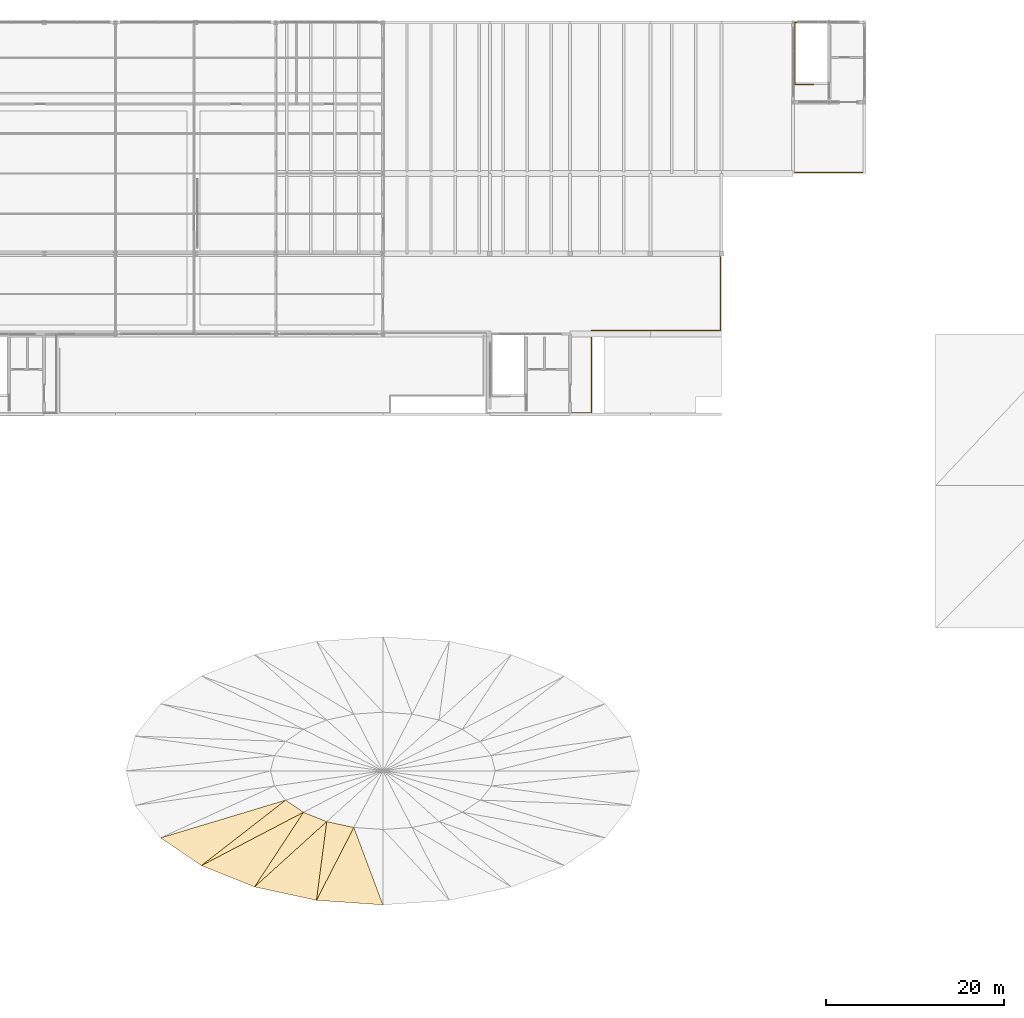
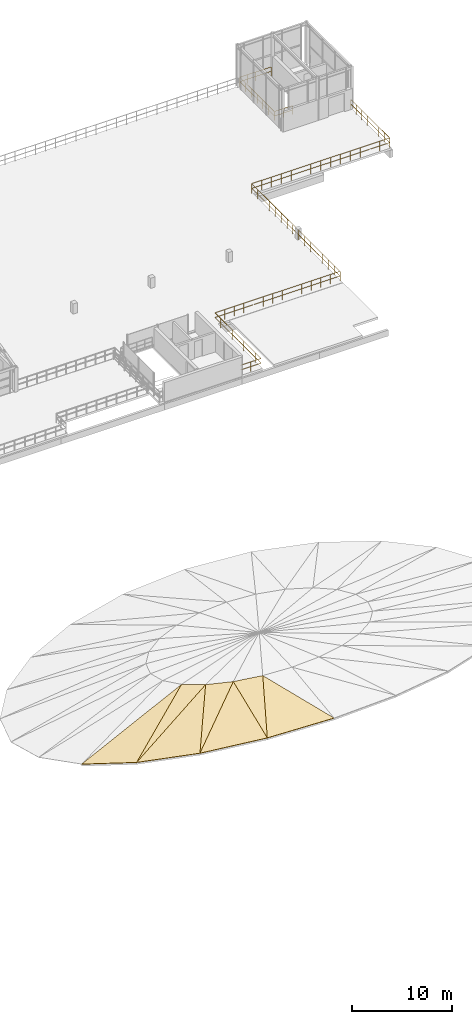
# One storey, part 48 of 50: 7 coverings, 2 railings.
"""IFC4 building model written with IfcOpenShell, lengths in metres."""

from ifc_helpers import new_model, si_unit, derived_unit, direction, frame, origin, origin_2d, place, context, subcontext, project, spatial, circle, extrude, polygons, material, layer, layer_set, type_object, element, save


model = new_model("IFC4")

# Units and contexts
model_context = context("Model", 3, precision=1e-05, world=origin(), true_north=direction((0.0, 1.0)))
body_context = subcontext(model_context, "Body", "Model", "MODEL_VIEW")
ifc_project = project(units=[si_unit("LENGTHUNIT", "METRE"), si_unit("AREAUNIT", "SQUARE_METRE"), si_unit("VOLUMEUNIT", "CUBIC_METRE"), si_unit("PLANEANGLEUNIT", "RADIAN"), si_unit("MASSUNIT", "GRAM", prefix="KILO"), si_unit("THERMODYNAMICTEMPERATUREUNIT", "KELVIN"), derived_unit("THERMALTRANSMITTANCEUNIT", [(si_unit("POWERUNIT", "WATT"), 1), (si_unit("AREAUNIT", "SQUARE_METRE"), -1), (si_unit("THERMODYNAMICTEMPERATUREUNIT", "KELVIN"), -1)])], contexts=[model_context])

# Site, building, storey
site_placement = place(None, origin())
site = spatial("IfcSite", under=ifc_project, at=site_placement, CompositionType="ELEMENT")
building_placement = place(site_placement, origin())
building = spatial("IfcBuilding", under=site, at=building_placement, Name="Haiyu Intermodal Mobility Hub", CompositionType="ELEMENT")
storey_placement = place(building_placement, frame((0.0, 0.0, 25.10009765625)))
storey = spatial("IfcBuildingStorey", under=building, at=storey_placement, Name="L06", CompositionType="ELEMENT", Elevation=25.10009765625)

# Coverings
ifc_material_1 = material(Name="PTFE tensile membrane")
ifc_layer = layer(ifc_material_1, 0.050048828125)
ifc_layer_set = layer_set([ifc_layer], Name="PTFE tensile membrane")
covering_type = type_object("IfcCoveringType", Name="COV-CV03", PredefinedType="ROOFING", material=ifc_layer_set)
covering_1_placement = place(storey_placement, origin())
element("IfcCovering", 1, at=covering_1_placement, inside=storey, type_object=covering_type, Name="PTFE Saddle Membrane 053", PredefinedType="ROOFING", context=body_context, shape_type="Tessellation", body=[
    polygons([(97.087890625, 60.7099609375, -0.4951171875), (83.05810546875, 56.47998046875, -2.797119140625), (87.635009765625, 53.364990234375, -2.30517578125), (97.087890625, 60.7099609375, -0.445068359375), (83.05810546875, 56.47998046875, -2.7470703125), (87.635009765625, 53.364990234375, -2.255126953125)], [[[3, 2, 1]], [[4, 5, 6]], [[1, 2, 5, 4]], [[2, 3, 6, 5]], [[3, 1, 4, 6]]], closed=True),
])
covering_2_placement = place(storey_placement, origin())
element("IfcCovering", 2, at=covering_2_placement, inside=storey, type_object=covering_type, Name="PTFE Saddle Membrane 054", PredefinedType="ROOFING", context=body_context, shape_type="Tessellation", body=[
    polygons([(97.087890625, 60.7099609375, -0.4951171875), (87.635009765625, 53.364990234375, -2.30517578125), (99.090087890625, 59.346923828125, -0.401123046875), (97.087890625, 60.7099609375, -0.445068359375), (87.635009765625, 53.364990234375, -2.255126953125), (99.090087890625, 59.346923828125, -0.35107421875)], [[[3, 2, 1]], [[4, 5, 6]], [[1, 2, 5, 4]], [[2, 3, 6, 5]], [[3, 1, 4, 6]]], closed=True),
])
covering_3_placement = place(storey_placement, origin())
element("IfcCovering", 3, at=covering_3_placement, inside=storey, type_object=covering_type, Name="PTFE Saddle Membrane 055", PredefinedType="ROOFING", context=body_context, shape_type="Tessellation", body=[
    polygons([(99.090087890625, 59.346923828125, -0.401123046875), (87.635009765625, 53.364990234375, -2.30517578125), (93.60009765625, 50.97509765625, -1.814208984375), (99.090087890625, 59.346923828125, -0.35107421875), (87.635009765625, 53.364990234375, -2.255126953125), (93.60009765625, 50.97509765625, -1.76416015625)], [[[3, 2, 1]], [[4, 5, 6]], [[1, 2, 5, 4]], [[2, 3, 6, 5]], [[3, 1, 4, 6]]], closed=True),
])
covering_4_placement = place(storey_placement, origin())
element("IfcCovering", 4, at=covering_4_placement, inside=storey, type_object=covering_type, Name="PTFE Saddle Membrane 056", PredefinedType="ROOFING", context=body_context, shape_type="Tessellation", body=[
    polygons([(99.090087890625, 59.346923828125, -0.401123046875), (93.60009765625, 50.97509765625, -1.814208984375), (101.699951171875, 58.302001953125, -0.30712890625), (99.090087890625, 59.346923828125, -0.35107421875), (93.60009765625, 50.97509765625, -1.76416015625), (101.699951171875, 58.302001953125, -0.257080078125)], [[[3, 2, 1]], [[4, 5, 6]], [[1, 2, 5, 4]], [[2, 3, 6, 5]], [[3, 1, 4, 6]]], closed=True),
])
covering_5_placement = place(storey_placement, origin())
element("IfcCovering", 5, at=covering_5_placement, inside=storey, type_object=covering_type, Name="PTFE Saddle Membrane 057", PredefinedType="ROOFING", context=body_context, shape_type="Tessellation", body=[
    polygons([(101.699951171875, 58.302001953125, -0.30712890625), (93.60009765625, 50.97509765625, -1.814208984375), (100.5458984375, 49.471923828125, -1.4541015625), (101.699951171875, 58.302001953125, -0.257080078125), (93.60009765625, 50.97509765625, -1.76416015625), (100.5458984375, 49.471923828125, -1.404052734375)], [[[3, 2, 1]], [[4, 5, 6]], [[1, 2, 5, 4]], [[2, 3, 6, 5]], [[3, 1, 4, 6]]], closed=True),
])
covering_6_placement = place(storey_placement, origin())
element("IfcCovering", 6, at=covering_6_placement, inside=storey, type_object=covering_type, Name="PTFE Saddle Membrane 058", PredefinedType="ROOFING", context=body_context, shape_type="Tessellation", body=[
    polygons([(101.699951171875, 58.302001953125, -0.30712890625), (100.5458984375, 49.471923828125, -1.4541015625), (104.739013671875, 57.64404296875, -0.238037109375), (101.699951171875, 58.302001953125, -0.257080078125), (100.5458984375, 49.471923828125, -1.404052734375), (104.739013671875, 57.64404296875, -0.18798828125)], [[[3, 2, 1]], [[4, 5, 6]], [[1, 2, 5, 4]], [[2, 3, 6, 5]], [[3, 1, 4, 6]]], closed=True),
])
covering_7_placement = place(storey_placement, origin())
element("IfcCovering", 7, at=covering_7_placement, inside=storey, type_object=covering_type, Name="PTFE Saddle Membrane 059", PredefinedType="ROOFING", context=body_context, shape_type="Tessellation", body=[
    polygons([(104.739013671875, 57.64404296875, -0.238037109375), (100.5458984375, 49.471923828125, -1.4541015625), (108.0, 48.9599609375, -1.322021484375), (104.739013671875, 57.64404296875, -0.18798828125), (100.5458984375, 49.471923828125, -1.404052734375), (108.0, 48.9599609375, -1.272216796875)], [[[3, 2, 1]], [[4, 5, 6]], [[1, 2, 5, 4]], [[2, 3, 6, 5]], [[3, 1, 4, 6]]], closed=True),
])

# Railings
ifc_material_2 = material(Name="Steel Q355C", Category="steel")
railing_type_1 = type_object("IfcRailingType", Name="RAL-GR01", PredefinedType="GUARDRAIL", material=ifc_material_2)
railing_1_placement = place(storey_placement, frame((129.0, 104.139892578125, 0.0)))
element("IfcRailing", 8, at=railing_1_placement, inside=storey, type_object=railing_type_1, Name="L06 Outdoor Basketball Court South-East Guard", PredefinedType="GUARDRAIL", context=body_context, shape_type="SweptSolid", body=[
    extrude(circle(Radius=0.02392578125, at=origin_2d()), frame((0.030029296875, 0.0, 1.17578125), z_axis=(1.0, 0.0, 0.0), x_axis=(0.0, 1.0, 0.0)), (0.0, 0.0, 1.0), 2.31982421875),
    extrude(circle(Radius=0.02392578125, at=origin_2d()), frame((0.037353515625, 0.0, 0.60009765625), z_axis=(1.0, 0.0, 0.0), x_axis=(0.0, 1.0, 0.0)), (0.0, 0.0, 1.0), 1.115234375),
    extrude(circle(Radius=0.02392578125, at=origin_2d()), frame((1.227294921875, 0.0, 0.60009765625), z_axis=(1.0, 0.0, 0.0), x_axis=(0.0, 1.0, 0.0)), (0.0, 0.0, 1.0), 1.115234375),
    extrude(circle(Radius=0.02392578125, at=origin_2d()), frame((2.3798828125, 0.030029296875, 1.17578125), z_axis=(0.0, 1.0, 0.0), x_axis=(-1.0, 0.0, 0.0)), (0.0, 0.0, 1.0), 9.179931640625),
    extrude(circle(Radius=0.02392578125, at=origin_2d()), frame((2.3798828125, 0.037353515625, 0.60009765625), z_axis=(0.0, 1.0, 0.0), x_axis=(-1.0, 0.0, 0.0)), (0.0, 0.0, 1.0), 1.080322265625),
    extrude(circle(Radius=0.02392578125, at=origin_2d()), frame((2.3798828125, 1.1923828125, 0.60009765625), z_axis=(0.0, 1.0, 0.0), x_axis=(-1.0, 0.0, 0.0)), (0.0, 0.0, 1.0), 1.080322265625),
    extrude(circle(Radius=0.02392578125, at=origin_2d()), frame((2.3798828125, 2.347412109375, 0.60009765625), z_axis=(0.0, 1.0, 0.0), x_axis=(-1.0, 0.0, 0.0)), (0.0, 0.0, 1.0), 1.080322265625),
    extrude(circle(Radius=0.02392578125, at=origin_2d()), frame((2.3798828125, 3.502197265625, 0.60009765625), z_axis=(0.0, 1.0, 0.0), x_axis=(-1.0, 0.0, 0.0)), (0.0, 0.0, 1.0), 1.080322265625),
    extrude(circle(Radius=0.02392578125, at=origin_2d()), frame((2.3798828125, 4.6572265625, 0.60009765625), z_axis=(0.0, 1.0, 0.0), x_axis=(-1.0, 0.0, 0.0)), (0.0, 0.0, 1.0), 1.080322265625),
    extrude(circle(Radius=0.02392578125, at=origin_2d()), frame((2.3798828125, 5.812255859375, 0.60009765625), z_axis=(0.0, 1.0, 0.0), x_axis=(-1.0, 0.0, 0.0)), (0.0, 0.0, 1.0), 1.080322265625),
    extrude(circle(Radius=0.02392578125, at=origin_2d()), frame((2.3798828125, 6.96728515625, 0.60009765625), z_axis=(0.0, 1.0, 0.0), x_axis=(-1.0, 0.0, 0.0)), (0.0, 0.0, 1.0), 1.080322265625),
    extrude(circle(Radius=0.02392578125, at=origin_2d()), frame((2.3798828125, 8.122314453125, 0.60009765625), z_axis=(0.0, 1.0, 0.0), x_axis=(-1.0, 0.0, 0.0)), (0.0, 0.0, 1.0), 1.080322265625),
    extrude(circle(Radius=0.02392578125, at=origin_2d()), frame((2.409912109375, 9.239990234375, 1.17578125), z_axis=(1.0, 0.0, 0.0), x_axis=(0.0, 1.0, 0.0)), (0.0, 0.0, 1.0), 14.43994140625),
    extrude(circle(Radius=0.02392578125, at=origin_2d()), frame((2.417236328125, 9.239990234375, 0.60009765625), z_axis=(1.0, 0.0, 0.0), x_axis=(0.0, 1.0, 0.0)), (0.0, 0.0, 1.0), 1.040771484375),
    extrude(circle(Radius=0.02392578125, at=origin_2d()), frame((3.532470703125, 9.239990234375, 0.60009765625), z_axis=(1.0, 0.0, 0.0), x_axis=(0.0, 1.0, 0.0)), (0.0, 0.0, 1.0), 1.040771484375),
    extrude(circle(Radius=0.02392578125, at=origin_2d()), frame((4.64794921875, 9.239990234375, 0.60009765625), z_axis=(1.0, 0.0, 0.0), x_axis=(0.0, 1.0, 0.0)), (0.0, 0.0, 1.0), 1.040771484375),
    extrude(circle(Radius=0.02392578125, at=origin_2d()), frame((5.763427734375, 9.239990234375, 0.60009765625), z_axis=(1.0, 0.0, 0.0), x_axis=(0.0, 1.0, 0.0)), (0.0, 0.0, 1.0), 1.040771484375),
    extrude(circle(Radius=0.02392578125, at=origin_2d()), frame((6.878662109375, 9.239990234375, 0.60009765625), z_axis=(1.0, 0.0, 0.0), x_axis=(0.0, 1.0, 0.0)), (0.0, 0.0, 1.0), 1.040771484375),
    extrude(circle(Radius=0.02392578125, at=origin_2d()), frame((7.994140625, 9.239990234375, 0.60009765625), z_axis=(1.0, 0.0, 0.0), x_axis=(0.0, 1.0, 0.0)), (0.0, 0.0, 1.0), 1.040771484375),
    extrude(circle(Radius=0.02392578125, at=origin_2d()), frame((9.109375, 9.239990234375, 0.60009765625), z_axis=(1.0, 0.0, 0.0), x_axis=(0.0, 1.0, 0.0)), (0.0, 0.0, 1.0), 1.040771484375),
    extrude(circle(Radius=0.02392578125, at=origin_2d()), frame((10.224853515625, 9.239990234375, 0.60009765625), z_axis=(1.0, 0.0, 0.0), x_axis=(0.0, 1.0, 0.0)), (0.0, 0.0, 1.0), 1.040771484375),
    extrude(circle(Radius=0.02392578125, at=origin_2d()), frame((11.34033203125, 9.239990234375, 0.60009765625), z_axis=(1.0, 0.0, 0.0), x_axis=(0.0, 1.0, 0.0)), (0.0, 0.0, 1.0), 1.040771484375),
    extrude(circle(Radius=0.02392578125, at=origin_2d()), frame((12.45556640625, 9.239990234375, 0.60009765625), z_axis=(1.0, 0.0, 0.0), x_axis=(0.0, 1.0, 0.0)), (0.0, 0.0, 1.0), 1.040771484375),
    extrude(circle(Radius=0.02392578125, at=origin_2d()), frame((13.571044921875, 9.239990234375, 0.60009765625), z_axis=(1.0, 0.0, 0.0), x_axis=(0.0, 1.0, 0.0)), (0.0, 0.0, 1.0), 1.040771484375),
    extrude(circle(Radius=0.02392578125, at=origin_2d()), frame((14.6865234375, 9.239990234375, 0.60009765625), z_axis=(1.0, 0.0, 0.0), x_axis=(0.0, 1.0, 0.0)), (0.0, 0.0, 1.0), 1.040771484375),
    extrude(circle(Radius=0.02392578125, at=origin_2d()), frame((15.8017578125, 9.239990234375, 0.60009765625), z_axis=(1.0, 0.0, 0.0), x_axis=(0.0, 1.0, 0.0)), (0.0, 0.0, 1.0), 1.040771484375),
    extrude(circle(Radius=0.02392578125, at=origin_2d()), frame((16.8798828125, 9.27001953125, 1.17578125), z_axis=(0.0, 1.0, 0.0), x_axis=(-1.0, 0.0, 0.0)), (0.0, 0.0, 1.0), 17.68017578125),
    extrude(circle(Radius=0.02392578125, at=origin_2d()), frame((16.8798828125, 9.27734375, 0.60009765625), z_axis=(0.0, 1.0, 0.0), x_axis=(-1.0, 0.0, 0.0)), (0.0, 0.0, 1.0), 1.108154296875),
    extrude(circle(Radius=0.02392578125, at=origin_2d()), frame((16.8798828125, 10.4599609375, 0.60009765625), z_axis=(0.0, 1.0, 0.0), x_axis=(-1.0, 0.0, 0.0)), (0.0, 0.0, 1.0), 1.108154296875),
    extrude(circle(Radius=0.02392578125, at=origin_2d()), frame((16.8798828125, 11.642578125, 0.60009765625), z_axis=(0.0, 1.0, 0.0), x_axis=(-1.0, 0.0, 0.0)), (0.0, 0.0, 1.0), 1.108154296875),
    extrude(circle(Radius=0.02392578125, at=origin_2d()), frame((16.8798828125, 12.825439453125, 0.60009765625), z_axis=(0.0, 1.0, 0.0), x_axis=(-1.0, 0.0, 0.0)), (0.0, 0.0, 1.0), 1.108154296875),
    extrude(circle(Radius=0.02392578125, at=origin_2d()), frame((16.8798828125, 14.008056640625, 0.60009765625), z_axis=(0.0, 1.0, 0.0), x_axis=(-1.0, 0.0, 0.0)), (0.0, 0.0, 1.0), 1.108154296875),
    extrude(circle(Radius=0.02392578125, at=origin_2d()), frame((16.8798828125, 15.190673828125, 0.60009765625), z_axis=(0.0, 1.0, 0.0), x_axis=(-1.0, 0.0, 0.0)), (0.0, 0.0, 1.0), 1.108154296875),
    extrude(circle(Radius=0.02392578125, at=origin_2d()), frame((16.8798828125, 16.373291015625, 0.60009765625), z_axis=(0.0, 1.0, 0.0), x_axis=(-1.0, 0.0, 0.0)), (0.0, 0.0, 1.0), 1.108154296875),
    extrude(circle(Radius=0.02392578125, at=origin_2d()), frame((16.8798828125, 17.55615234375, 0.60009765625), z_axis=(0.0, 1.0, 0.0), x_axis=(-1.0, 0.0, 0.0)), (0.0, 0.0, 1.0), 1.108154296875),
    extrude(circle(Radius=0.02392578125, at=origin_2d()), frame((16.8798828125, 18.73876953125, 0.60009765625), z_axis=(0.0, 1.0, 0.0), x_axis=(-1.0, 0.0, 0.0)), (0.0, 0.0, 1.0), 1.108154296875),
    extrude(circle(Radius=0.02392578125, at=origin_2d()), frame((16.8798828125, 19.92138671875, 0.60009765625), z_axis=(0.0, 1.0, 0.0), x_axis=(-1.0, 0.0, 0.0)), (0.0, 0.0, 1.0), 1.108154296875),
    extrude(circle(Radius=0.02392578125, at=origin_2d()), frame((16.8798828125, 21.10400390625, 0.60009765625), z_axis=(0.0, 1.0, 0.0), x_axis=(-1.0, 0.0, 0.0)), (0.0, 0.0, 1.0), 1.108154296875),
    extrude(circle(Radius=0.02392578125, at=origin_2d()), frame((16.8798828125, 22.286865234375, 0.60009765625), z_axis=(0.0, 1.0, 0.0), x_axis=(-1.0, 0.0, 0.0)), (0.0, 0.0, 1.0), 1.108154296875),
    extrude(circle(Radius=0.02392578125, at=origin_2d()), frame((16.8798828125, 23.469482421875, 0.60009765625), z_axis=(0.0, 1.0, 0.0), x_axis=(-1.0, 0.0, 0.0)), (0.0, 0.0, 1.0), 1.108154296875),
    extrude(circle(Radius=0.02392578125, at=origin_2d()), frame((16.8798828125, 24.652099609375, 0.60009765625), z_axis=(0.0, 1.0, 0.0), x_axis=(-1.0, 0.0, 0.0)), (0.0, 0.0, 1.0), 1.108154296875),
    extrude(circle(Radius=0.02392578125, at=origin_2d()), frame((16.8798828125, 25.834716796875, 0.60009765625), z_axis=(0.0, 1.0, 0.0), x_axis=(-1.0, 0.0, 0.0)), (0.0, 0.0, 1.0), 1.108154296875),
    extrude(circle(Radius=0.02392578125, at=origin_2d()), frame((16.909912109375, 26.980224609375, 1.17578125), z_axis=(1.0, 0.0, 0.0), x_axis=(0.0, 1.0, 0.0)), (0.0, 0.0, 1.0), 15.93994140625),
    extrude(circle(Radius=0.02392578125, at=origin_2d()), frame((16.917236328125, 26.980224609375, 0.60009765625), z_axis=(1.0, 0.0, 0.0), x_axis=(0.0, 1.0, 0.0)), (0.0, 0.0, 1.0), 1.068359375),
    extrude(circle(Radius=0.02392578125, at=origin_2d()), frame((18.06005859375, 26.980224609375, 0.60009765625), z_axis=(1.0, 0.0, 0.0), x_axis=(0.0, 1.0, 0.0)), (0.0, 0.0, 1.0), 1.068359375),
    extrude(circle(Radius=0.02392578125, at=origin_2d()), frame((19.202880859375, 26.980224609375, 0.60009765625), z_axis=(1.0, 0.0, 0.0), x_axis=(0.0, 1.0, 0.0)), (0.0, 0.0, 1.0), 1.068359375),
    extrude(circle(Radius=0.02392578125, at=origin_2d()), frame((20.345703125, 26.980224609375, 0.60009765625), z_axis=(1.0, 0.0, 0.0), x_axis=(0.0, 1.0, 0.0)), (0.0, 0.0, 1.0), 1.068359375),
    extrude(circle(Radius=0.02392578125, at=origin_2d()), frame((21.488525390625, 26.980224609375, 0.60009765625), z_axis=(1.0, 0.0, 0.0), x_axis=(0.0, 1.0, 0.0)), (0.0, 0.0, 1.0), 1.068359375),
    extrude(circle(Radius=0.02392578125, at=origin_2d()), frame((22.63134765625, 26.980224609375, 0.60009765625), z_axis=(1.0, 0.0, 0.0), x_axis=(0.0, 1.0, 0.0)), (0.0, 0.0, 1.0), 1.068359375),
    extrude(circle(Radius=0.02392578125, at=origin_2d()), frame((23.7744140625, 26.980224609375, 0.60009765625), z_axis=(1.0, 0.0, 0.0), x_axis=(0.0, 1.0, 0.0)), (0.0, 0.0, 1.0), 1.068359375),
    extrude(circle(Radius=0.02392578125, at=origin_2d()), frame((24.917236328125, 26.980224609375, 0.60009765625), z_axis=(1.0, 0.0, 0.0), x_axis=(0.0, 1.0, 0.0)), (0.0, 0.0, 1.0), 1.068359375),
    extrude(circle(Radius=0.02392578125, at=origin_2d()), frame((26.06005859375, 26.980224609375, 0.60009765625), z_axis=(1.0, 0.0, 0.0), x_axis=(0.0, 1.0, 0.0)), (0.0, 0.0, 1.0), 1.068359375),
    extrude(circle(Radius=0.02392578125, at=origin_2d()), frame((27.202880859375, 26.980224609375, 0.60009765625), z_axis=(1.0, 0.0, 0.0), x_axis=(0.0, 1.0, 0.0)), (0.0, 0.0, 1.0), 1.068359375),
    extrude(circle(Radius=0.02392578125, at=origin_2d()), frame((28.345703125, 26.980224609375, 0.60009765625), z_axis=(1.0, 0.0, 0.0), x_axis=(0.0, 1.0, 0.0)), (0.0, 0.0, 1.0), 1.068359375),
    extrude(circle(Radius=0.02392578125, at=origin_2d()), frame((29.488525390625, 26.980224609375, 0.60009765625), z_axis=(1.0, 0.0, 0.0), x_axis=(0.0, 1.0, 0.0)), (0.0, 0.0, 1.0), 1.068359375),
    extrude(circle(Radius=0.02392578125, at=origin_2d()), frame((30.63134765625, 26.980224609375, 0.60009765625), z_axis=(1.0, 0.0, 0.0), x_axis=(0.0, 1.0, 0.0)), (0.0, 0.0, 1.0), 1.068359375),
    extrude(circle(Radius=0.02392578125, at=origin_2d()), frame((31.7744140625, 26.980224609375, 0.60009765625), z_axis=(1.0, 0.0, 0.0), x_axis=(0.0, 1.0, 0.0)), (0.0, 0.0, 1.0), 1.068359375),
    extrude(circle(Radius=0.02392578125, at=origin_2d()), frame((32.8798828125, 27.01025390625, 1.17578125), z_axis=(0.0, 1.0, 0.0), x_axis=(-1.0, 0.0, 0.0)), (0.0, 0.0, 1.0), 7.769775390625),
    extrude(circle(Radius=0.02392578125, at=origin_2d()), frame((32.8798828125, 27.017578125, 0.60009765625), z_axis=(0.0, 1.0, 0.0), x_axis=(-1.0, 0.0, 0.0)), (0.0, 0.0, 1.0), 1.0439453125),
    extrude(circle(Radius=0.02392578125, at=origin_2d()), frame((32.8798828125, 28.135986328125, 0.60009765625), z_axis=(0.0, 1.0, 0.0), x_axis=(-1.0, 0.0, 0.0)), (0.0, 0.0, 1.0), 1.0439453125),
    extrude(circle(Radius=0.02392578125, at=origin_2d()), frame((32.8798828125, 29.254638671875, 0.60009765625), z_axis=(0.0, 1.0, 0.0), x_axis=(-1.0, 0.0, 0.0)), (0.0, 0.0, 1.0), 1.0439453125),
    extrude(circle(Radius=0.02392578125, at=origin_2d()), frame((32.8798828125, 30.373046875, 0.60009765625), z_axis=(0.0, 1.0, 0.0), x_axis=(-1.0, 0.0, 0.0)), (0.0, 0.0, 1.0), 1.0439453125),
    extrude(circle(Radius=0.02392578125, at=origin_2d()), frame((32.8798828125, 31.49169921875, 0.60009765625), z_axis=(0.0, 1.0, 0.0), x_axis=(-1.0, 0.0, 0.0)), (0.0, 0.0, 1.0), 1.0439453125),
    extrude(circle(Radius=0.02392578125, at=origin_2d()), frame((32.8798828125, 32.6103515625, 0.60009765625), z_axis=(0.0, 1.0, 0.0), x_axis=(-1.0, 0.0, 0.0)), (0.0, 0.0, 1.0), 1.0439453125),
    extrude(circle(Radius=0.02392578125, at=origin_2d()), frame((32.8798828125, 33.728759765625, 0.60009765625), z_axis=(0.0, 1.0, 0.0), x_axis=(-1.0, 0.0, 0.0)), (0.0, 0.0, 1.0), 1.0439453125),
    extrude(circle(Radius=0.02099609375, at=origin_2d()), origin(), (0.0, 0.0, 1.0), 1.143798828125),
    extrude(circle(Radius=0.02099609375, at=origin_2d()), frame((1.18994140625, 0.0, 0.0)), (0.0, 0.0, 1.0), 1.143798828125),
    extrude(circle(Radius=0.02099609375, at=origin_2d()), frame((2.3798828125, 0.0, 0.0)), (0.0, 0.0, 1.0), 1.143798828125),
    extrude(circle(Radius=0.02099609375, at=origin_2d()), frame((2.3798828125, 1.155029296875, 0.0)), (0.0, 0.0, 1.0), 1.143798828125),
    extrude(circle(Radius=0.02099609375, at=origin_2d()), frame((2.3798828125, 2.31005859375, 0.0)), (0.0, 0.0, 1.0), 1.143798828125),
    extrude(circle(Radius=0.02099609375, at=origin_2d()), frame((2.3798828125, 3.465087890625, 0.0)), (0.0, 0.0, 1.0), 1.143798828125),
    extrude(circle(Radius=0.02099609375, at=origin_2d()), frame((2.3798828125, 4.6201171875, 0.0)), (0.0, 0.0, 1.0), 1.143798828125),
    extrude(circle(Radius=0.02099609375, at=origin_2d()), frame((2.3798828125, 5.77490234375, 0.0)), (0.0, 0.0, 1.0), 1.143798828125),
    extrude(circle(Radius=0.02099609375, at=origin_2d()), frame((2.3798828125, 6.929931640625, 0.0)), (0.0, 0.0, 1.0), 1.143798828125),
    extrude(circle(Radius=0.02099609375, at=origin_2d()), frame((2.3798828125, 8.0849609375, 0.0)), (0.0, 0.0, 1.0), 1.143798828125),
    extrude(circle(Radius=0.02099609375, at=origin_2d()), frame((2.3798828125, 9.239990234375, 0.0)), (0.0, 0.0, 1.0), 1.143798828125),
    extrude(circle(Radius=0.02099609375, at=origin_2d()), frame((3.495361328125, 9.239990234375, 0.0)), (0.0, 0.0, 1.0), 1.143798828125),
    extrude(circle(Radius=0.02099609375, at=origin_2d()), frame((4.610595703125, 9.239990234375, 0.0)), (0.0, 0.0, 1.0), 1.143798828125),
    extrude(circle(Radius=0.02099609375, at=origin_2d()), frame((5.72607421875, 9.239990234375, 0.0)), (0.0, 0.0, 1.0), 1.143798828125),
    extrude(circle(Radius=0.02099609375, at=origin_2d()), frame((6.84130859375, 9.239990234375, 0.0)), (0.0, 0.0, 1.0), 1.143798828125),
    extrude(circle(Radius=0.02099609375, at=origin_2d()), frame((7.956787109375, 9.239990234375, 0.0)), (0.0, 0.0, 1.0), 1.143798828125),
    extrude(circle(Radius=0.02099609375, at=origin_2d()), frame((9.072265625, 9.239990234375, 0.0)), (0.0, 0.0, 1.0), 1.143798828125),
    extrude(circle(Radius=0.02099609375, at=origin_2d()), frame((10.1875, 9.239990234375, 0.0)), (0.0, 0.0, 1.0), 1.143798828125),
    extrude(circle(Radius=0.02099609375, at=origin_2d()), frame((11.302978515625, 9.239990234375, 0.0)), (0.0, 0.0, 1.0), 1.143798828125),
    extrude(circle(Radius=0.02099609375, at=origin_2d()), frame((12.41845703125, 9.239990234375, 0.0)), (0.0, 0.0, 1.0), 1.143798828125),
    extrude(circle(Radius=0.02099609375, at=origin_2d()), frame((13.53369140625, 9.239990234375, 0.0)), (0.0, 0.0, 1.0), 1.143798828125),
    extrude(circle(Radius=0.02099609375, at=origin_2d()), frame((14.649169921875, 9.239990234375, 0.0)), (0.0, 0.0, 1.0), 1.143798828125),
    extrude(circle(Radius=0.02099609375, at=origin_2d()), frame((15.764404296875, 9.239990234375, 0.0)), (0.0, 0.0, 1.0), 1.143798828125),
    extrude(circle(Radius=0.02099609375, at=origin_2d()), frame((16.8798828125, 9.239990234375, 0.0)), (0.0, 0.0, 1.0), 1.143798828125),
    extrude(circle(Radius=0.02099609375, at=origin_2d()), frame((16.8798828125, 10.422607421875, 0.0)), (0.0, 0.0, 1.0), 1.143798828125),
    extrude(circle(Radius=0.02099609375, at=origin_2d()), frame((16.8798828125, 11.60546875, 0.0)), (0.0, 0.0, 1.0), 1.143798828125),
    extrude(circle(Radius=0.02099609375, at=origin_2d()), frame((16.8798828125, 12.7880859375, 0.0)), (0.0, 0.0, 1.0), 1.143798828125),
    extrude(circle(Radius=0.02099609375, at=origin_2d()), frame((16.8798828125, 13.970703125, 0.0)), (0.0, 0.0, 1.0), 1.143798828125),
    extrude(circle(Radius=0.02099609375, at=origin_2d()), frame((16.8798828125, 15.1533203125, 0.0)), (0.0, 0.0, 1.0), 1.143798828125),
    extrude(circle(Radius=0.02099609375, at=origin_2d()), frame((16.8798828125, 16.336181640625, 0.0)), (0.0, 0.0, 1.0), 1.143798828125),
    extrude(circle(Radius=0.02099609375, at=origin_2d()), frame((16.8798828125, 17.518798828125, 0.0)), (0.0, 0.0, 1.0), 1.143798828125),
    extrude(circle(Radius=0.02099609375, at=origin_2d()), frame((16.8798828125, 18.701416015625, 0.0)), (0.0, 0.0, 1.0), 1.143798828125),
    extrude(circle(Radius=0.02099609375, at=origin_2d()), frame((16.8798828125, 19.884033203125, 0.0)), (0.0, 0.0, 1.0), 1.143798828125),
    extrude(circle(Radius=0.02099609375, at=origin_2d()), frame((16.8798828125, 21.06689453125, 0.0)), (0.0, 0.0, 1.0), 1.143798828125),
    extrude(circle(Radius=0.02099609375, at=origin_2d()), frame((16.8798828125, 22.24951171875, 0.0)), (0.0, 0.0, 1.0), 1.143798828125),
    extrude(circle(Radius=0.02099609375, at=origin_2d()), frame((16.8798828125, 23.43212890625, 0.0)), (0.0, 0.0, 1.0), 1.143798828125),
    extrude(circle(Radius=0.02099609375, at=origin_2d()), frame((16.8798828125, 24.61474609375, 0.0)), (0.0, 0.0, 1.0), 1.143798828125),
    extrude(circle(Radius=0.02099609375, at=origin_2d()), frame((16.8798828125, 25.797607421875, 0.0)), (0.0, 0.0, 1.0), 1.143798828125),
    extrude(circle(Radius=0.02099609375, at=origin_2d()), frame((16.8798828125, 26.980224609375, 0.0)), (0.0, 0.0, 1.0), 1.143798828125),
    extrude(circle(Radius=0.02099609375, at=origin_2d()), frame((18.022705078125, 26.980224609375, 0.0)), (0.0, 0.0, 1.0), 1.143798828125),
    extrude(circle(Radius=0.02099609375, at=origin_2d()), frame((19.16552734375, 26.980224609375, 0.0)), (0.0, 0.0, 1.0), 1.143798828125),
    extrude(circle(Radius=0.02099609375, at=origin_2d()), frame((20.308349609375, 26.980224609375, 0.0)), (0.0, 0.0, 1.0), 1.143798828125),
    extrude(circle(Radius=0.02099609375, at=origin_2d()), frame((21.451416015625, 26.980224609375, 0.0)), (0.0, 0.0, 1.0), 1.143798828125),
    extrude(circle(Radius=0.02099609375, at=origin_2d()), frame((22.59423828125, 26.980224609375, 0.0)), (0.0, 0.0, 1.0), 1.143798828125),
    extrude(circle(Radius=0.02099609375, at=origin_2d()), frame((23.737060546875, 26.980224609375, 0.0)), (0.0, 0.0, 1.0), 1.143798828125),
    extrude(circle(Radius=0.02099609375, at=origin_2d()), frame((24.8798828125, 26.980224609375, 0.0)), (0.0, 0.0, 1.0), 1.143798828125),
    extrude(circle(Radius=0.02099609375, at=origin_2d()), frame((26.022705078125, 26.980224609375, 0.0)), (0.0, 0.0, 1.0), 1.143798828125),
    extrude(circle(Radius=0.02099609375, at=origin_2d()), frame((27.16552734375, 26.980224609375, 0.0)), (0.0, 0.0, 1.0), 1.143798828125),
    extrude(circle(Radius=0.02099609375, at=origin_2d()), frame((28.308349609375, 26.980224609375, 0.0)), (0.0, 0.0, 1.0), 1.143798828125),
    extrude(circle(Radius=0.02099609375, at=origin_2d()), frame((29.451416015625, 26.980224609375, 0.0)), (0.0, 0.0, 1.0), 1.143798828125),
    extrude(circle(Radius=0.02099609375, at=origin_2d()), frame((30.59423828125, 26.980224609375, 0.0)), (0.0, 0.0, 1.0), 1.143798828125),
    extrude(circle(Radius=0.02099609375, at=origin_2d()), frame((31.737060546875, 26.980224609375, 0.0)), (0.0, 0.0, 1.0), 1.143798828125),
    extrude(circle(Radius=0.02099609375, at=origin_2d()), frame((32.8798828125, 26.980224609375, 0.0)), (0.0, 0.0, 1.0), 1.143798828125),
    extrude(circle(Radius=0.02099609375, at=origin_2d()), frame((32.8798828125, 28.098876953125, 0.0)), (0.0, 0.0, 1.0), 1.143798828125),
    extrude(circle(Radius=0.02099609375, at=origin_2d()), frame((32.8798828125, 29.21728515625, 0.0)), (0.0, 0.0, 1.0), 1.143798828125),
    extrude(circle(Radius=0.02099609375, at=origin_2d()), frame((32.8798828125, 30.3359375, 0.0)), (0.0, 0.0, 1.0), 1.143798828125),
    extrude(circle(Radius=0.02099609375, at=origin_2d()), frame((32.8798828125, 31.454345703125, 0.0)), (0.0, 0.0, 1.0), 1.143798828125),
    extrude(circle(Radius=0.02099609375, at=origin_2d()), frame((32.8798828125, 32.572998046875, 0.0)), (0.0, 0.0, 1.0), 1.143798828125),
    extrude(circle(Radius=0.02099609375, at=origin_2d()), frame((32.8798828125, 33.69140625, 0.0)), (0.0, 0.0, 1.0), 1.143798828125),
    extrude(circle(Radius=0.02099609375, at=origin_2d()), frame((32.8798828125, 34.81005859375, 0.0)), (0.0, 0.0, 1.0), 1.143798828125),
])
railing_type_2 = type_object("IfcRailingType", Name="RAL-GR03", PredefinedType="GUARDRAIL", material=ifc_material_2)
railing_2_placement = place(storey_placement, frame((156.31005859375, 141.010009765625, 0.0)))
element("IfcRailing", 9, at=railing_2_placement, inside=storey, type_object=railing_type_2, Name="Stair Shaft Floor Guard STR-C4-L05", PredefinedType="GUARDRAIL", context=body_context, shape_type="SweptSolid", body=[
    extrude(circle(Radius=0.02392578125, at=origin_2d()), frame((-0.030029296875, 0.0, 1.09619140625), z_axis=(-1.0, 0.0, 0.0), x_axis=(0.0, -1.0, 0.0)), (0.0, 0.0, 1.0), 2.030029296875),
    extrude(circle(Radius=0.02392578125, at=origin_2d()), frame((-0.037353515625, 0.0, 0.56005859375), z_axis=(-1.0, 0.0, 0.0), x_axis=(0.0, -1.0, 0.0)), (0.0, 0.0, 1.0), 0.970458984375),
    extrude(circle(Radius=0.02392578125, at=origin_2d()), frame((-1.082275390625, 0.0, 0.56005859375), z_axis=(-1.0, 0.0, 0.0), x_axis=(0.0, -1.0, 0.0)), (0.0, 0.0, 1.0), 0.970458984375),
    extrude(circle(Radius=0.02392578125, at=origin_2d()), frame((-2.090087890625, 0.030029296875, 1.09619140625), z_axis=(0.0, 1.0, 0.0), x_axis=(-1.0, 0.0, 0.0)), (0.0, 0.0, 1.0), 6.8798828125),
    extrude(circle(Radius=0.02392578125, at=origin_2d()), frame((-2.090087890625, 0.037353515625, 0.56005859375), z_axis=(0.0, 1.0, 0.0), x_axis=(-1.0, 0.0, 0.0)), (0.0, 0.0, 1.0), 1.08203125),
    extrude(circle(Radius=0.02392578125, at=origin_2d()), frame((-2.090087890625, 1.19384765625, 0.56005859375), z_axis=(0.0, 1.0, 0.0), x_axis=(-1.0, 0.0, 0.0)), (0.0, 0.0, 1.0), 1.08203125),
    extrude(circle(Radius=0.02392578125, at=origin_2d()), frame((-2.090087890625, 2.3505859375, 0.56005859375), z_axis=(0.0, 1.0, 0.0), x_axis=(-1.0, 0.0, 0.0)), (0.0, 0.0, 1.0), 1.08203125),
    extrude(circle(Radius=0.02392578125, at=origin_2d()), frame((-2.090087890625, 3.50732421875, 0.56005859375), z_axis=(0.0, 1.0, 0.0), x_axis=(-1.0, 0.0, 0.0)), (0.0, 0.0, 1.0), 1.08203125),
    extrude(circle(Radius=0.02392578125, at=origin_2d()), frame((-2.090087890625, 4.663818359375, 0.56005859375), z_axis=(0.0, 1.0, 0.0), x_axis=(-1.0, 0.0, 0.0)), (0.0, 0.0, 1.0), 1.08203125),
    extrude(circle(Radius=0.02392578125, at=origin_2d()), frame((-2.090087890625, 5.820556640625, 0.56005859375), z_axis=(0.0, 1.0, 0.0), x_axis=(-1.0, 0.0, 0.0)), (0.0, 0.0, 1.0), 1.08203125),
    extrude(circle(Radius=0.02392578125, at=origin_2d()), frame((-2.06005859375, 6.93994140625, 1.09619140625), z_axis=(1.0, 0.0, 0.0), x_axis=(0.0, 1.0, 0.0)), (0.0, 0.0, 1.0), 3.590087890625),
    extrude(circle(Radius=0.02392578125, at=origin_2d()), frame((-2.052734375, 6.93994140625, 0.56005859375), z_axis=(1.0, 0.0, 0.0), x_axis=(0.0, 1.0, 0.0)), (0.0, 0.0, 1.0), 0.837890625),
    extrude(circle(Radius=0.02392578125, at=origin_2d()), frame((-1.14013671875, 6.93994140625, 0.56005859375), z_axis=(1.0, 0.0, 0.0), x_axis=(0.0, 1.0, 0.0)), (0.0, 0.0, 1.0), 0.837890625),
    extrude(circle(Radius=0.02392578125, at=origin_2d()), frame((-0.227783203125, 6.93994140625, 0.56005859375), z_axis=(1.0, 0.0, 0.0), x_axis=(0.0, 1.0, 0.0)), (0.0, 0.0, 1.0), 0.837890625),
    extrude(circle(Radius=0.02392578125, at=origin_2d()), frame((0.684814453125, 6.93994140625, 0.56005859375), z_axis=(1.0, 0.0, 0.0), x_axis=(0.0, 1.0, 0.0)), (0.0, 0.0, 1.0), 0.837890625),
    extrude(circle(Radius=0.02099609375, at=origin_2d()), origin(), (0.0, 0.0, 1.0), 1.06396484375),
    extrude(circle(Radius=0.02099609375, at=origin_2d()), frame((-1.044921875, 0.0, 0.0)), (0.0, 0.0, 1.0), 1.06396484375),
    extrude(circle(Radius=0.02099609375, at=origin_2d()), frame((-2.090087890625, 0.0, 0.0)), (0.0, 0.0, 1.0), 1.06396484375),
    extrude(circle(Radius=0.02099609375, at=origin_2d()), frame((-2.090087890625, 1.15673828125, 0.0)), (0.0, 0.0, 1.0), 1.06396484375),
    extrude(circle(Radius=0.02099609375, at=origin_2d()), frame((-2.090087890625, 2.313232421875, 0.0)), (0.0, 0.0, 1.0), 1.06396484375),
    extrude(circle(Radius=0.02099609375, at=origin_2d()), frame((-2.090087890625, 3.469970703125, 0.0)), (0.0, 0.0, 1.0), 1.06396484375),
    extrude(circle(Radius=0.02099609375, at=origin_2d()), frame((-2.090087890625, 4.626708984375, 0.0)), (0.0, 0.0, 1.0), 1.06396484375),
    extrude(circle(Radius=0.02099609375, at=origin_2d()), frame((-2.090087890625, 5.783203125, 0.0)), (0.0, 0.0, 1.0), 1.06396484375),
    extrude(circle(Radius=0.02099609375, at=origin_2d()), frame((-2.090087890625, 6.93994140625, 0.0)), (0.0, 0.0, 1.0), 1.06396484375),
    extrude(circle(Radius=0.02099609375, at=origin_2d()), frame((-1.177490234375, 6.93994140625, 0.0)), (0.0, 0.0, 1.0), 1.06396484375),
    extrude(circle(Radius=0.02099609375, at=origin_2d()), frame((-0.26513671875, 6.93994140625, 0.0)), (0.0, 0.0, 1.0), 1.06396484375),
    extrude(circle(Radius=0.02099609375, at=origin_2d()), frame((0.6474609375, 6.93994140625, 0.0)), (0.0, 0.0, 1.0), 1.06396484375),
    extrude(circle(Radius=0.02099609375, at=origin_2d()), frame((1.56005859375, 6.93994140625, 0.0)), (0.0, 0.0, 1.0), 1.06396484375),
])

save(model, "model.ifc")
